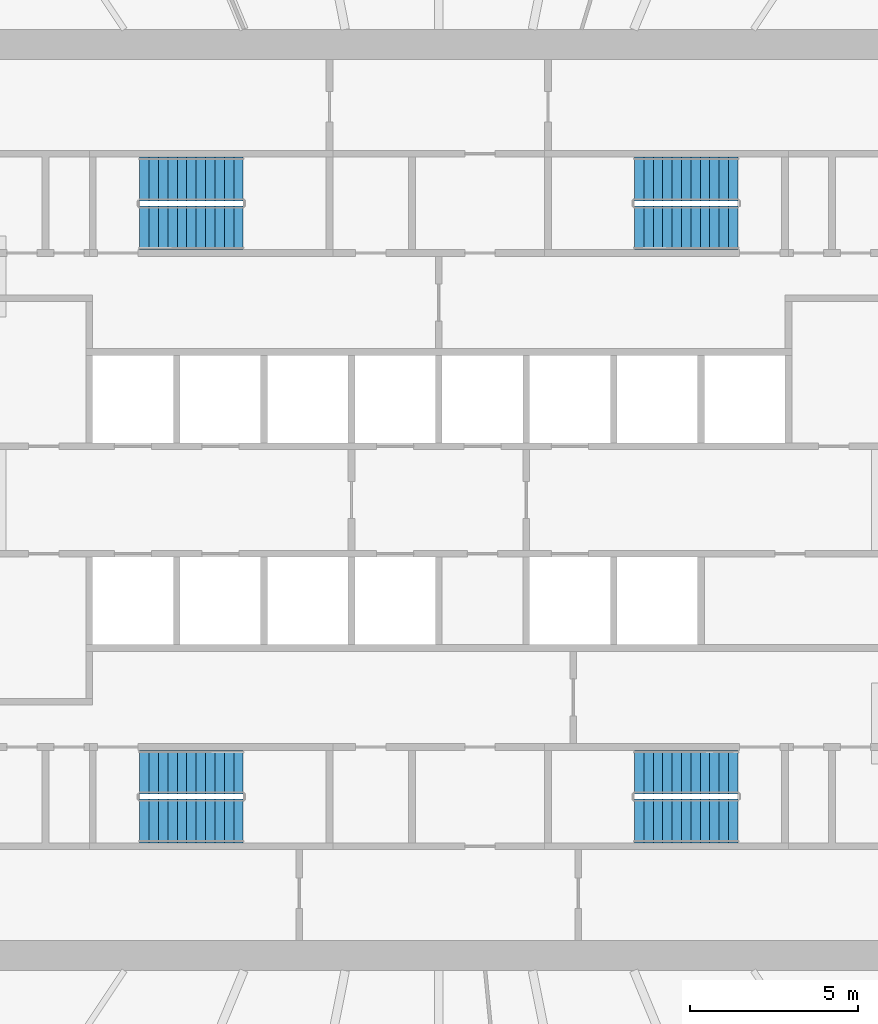
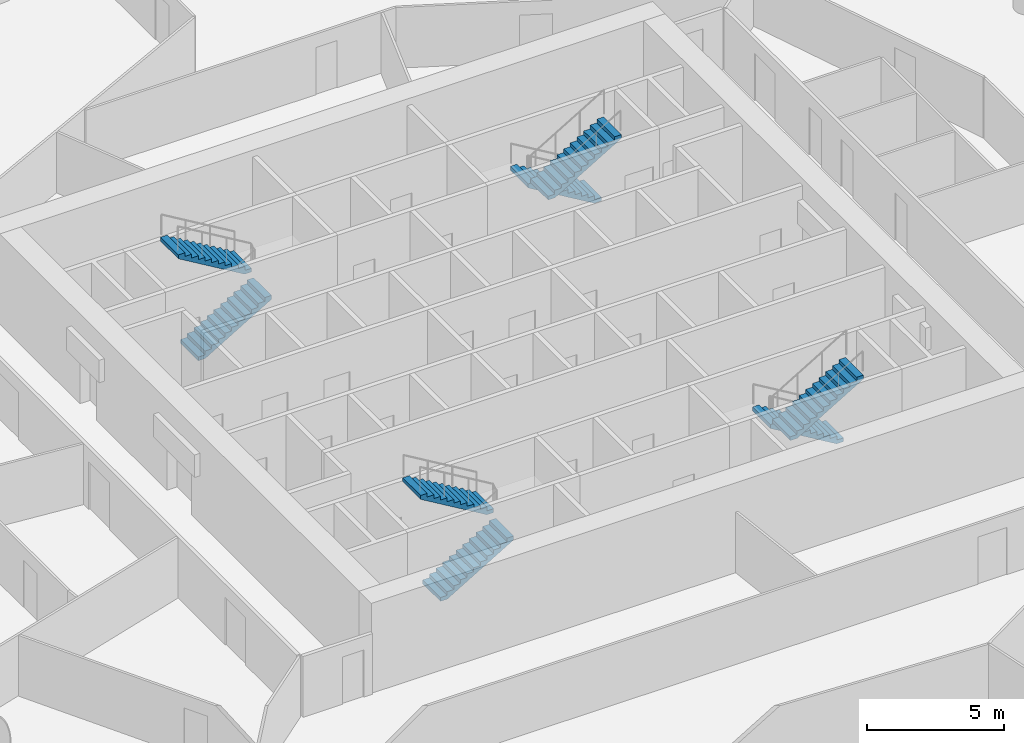
# One storey, part 8 of 9: 8 stair flights, 4 elements without a shape of their own.
"""IFC4 building model written with IfcOpenShell, lengths in metres."""

from ifc_helpers import new_model, si_unit, direction, frame, origin, place, context, subcontext, project, spatial, polyline, outline, extrude, material, type_object, element, aggregate, save


model = new_model("IFC4")

# Units and contexts
model_context = context("Model", 3, precision=1e-05, world=origin(), true_north=direction((0.0, 1.0)))
body_context = subcontext(model_context, "Body", "Model", "MODEL_VIEW")
ifc_project = project(units=[si_unit("LENGTHUNIT", "METRE"), si_unit("AREAUNIT", "SQUARE_METRE"), si_unit("VOLUMEUNIT", "CUBIC_METRE"), si_unit("PLANEANGLEUNIT", "RADIAN"), si_unit("MASSUNIT", "GRAM", prefix="KILO")], contexts=[model_context])

# Site, building, storey
site_placement = place(None, origin())
site = spatial("IfcSite", under=ifc_project, at=site_placement, CompositionType="ELEMENT")
building_placement = place(site_placement, origin())
building = spatial("IfcBuilding", under=site, at=building_placement, Name="Corvane Civic Tower", CompositionType="ELEMENT")
storey_placement = place(building_placement, frame((0.0, 0.0, 148.0)))
storey = spatial("IfcBuildingStorey", under=building, at=storey_placement, Name="L34", CompositionType="ELEMENT", Elevation=148.0)

# Stair, stair flights
ifc_material_1 = material(Name="Concrete C40/50", Category="concrete")
stair_type = type_object("IfcStairType", Name="ST-STAIR-HALFTURN", PredefinedType="HALF_TURN_STAIR", material=ifc_material_1)
stair_1_placement = place(storey_placement, origin())
stair_1 = element("IfcStair", 1, at=stair_1_placement, inside=storey, type_object=stair_type, Name="L34 Exit stair ST1", PredefinedType="HALF_TURN_STAIR")
ifc_material_2 = material(Name="Concrete C40/50", Category="concrete")
stair_flight_type = type_object("IfcStairFlightType", Name="ST-FLIGHT-RC", PredefinedType="STRAIGHT", material=ifc_material_2)
stair_flight_1_placement = place(storey_placement, frame((8.89990234375, 9.550048828125, 0.0), z_axis=(0.0, 0.0, 1.0), x_axis=(-1.0, 0.0, 0.0)))
stair_flight_1 = element("IfcStairFlight", 2, at=stair_flight_1_placement, type_object=stair_flight_type, Name="ST1 flight 1", NumberOfRisers=12, NumberOfTreads=11, PredefinedType="STRAIGHT", RiserHeight=0.166666667, TreadLength=0.28, context=body_context, shape_type="SweptSolid", body=[
    extrude(outline(polyline([(0.0, 0.0), (0.0, 0.166748046875), (0.280029296875, 0.166748046875), (0.280029296875, 0.333251953125), (0.56005859375, 0.333251953125), (0.56005859375, 0.5), (0.840087890625, 0.5), (0.840087890625, 0.666748046875), (1.1201171875, 0.666748046875), (1.1201171875, 0.833251953125), (1.39990234375, 0.833251953125), (1.39990234375, 1.0), (1.679931640625, 1.0), (1.679931640625, 1.166748046875), (1.9599609375, 1.166748046875), (1.9599609375, 1.333251953125), (2.239990234375, 1.333251953125), (2.239990234375, 1.5), (2.52001953125, 1.5), (2.52001953125, 1.666748046875), (2.800048828125, 1.666748046875), (2.800048828125, 1.833251953125), (3.080078125, 1.833251953125), (3.080078125, 2.0), (3.080078125, 1.658935546875), (0.29296875, 0.0), (0.0, 0.0)])), frame((0.0, 0.64990234375, 0.0), z_axis=(0.0, -1.0, 0.0), x_axis=(1.0, 0.0, 0.0)), (0.0, 0.0, 1.0), 1.300048828125),
])
stair_flight_2_placement = place(storey_placement, frame((5.820068359375, 8.10009765625, 2.0), z_axis=(0.0, 0.0, 1.0), x_axis=(1.0, 0.0, 0.0)))
stair_flight_2 = element("IfcStairFlight", 3, at=stair_flight_2_placement, type_object=stair_flight_type, Name="ST1 flight 2", NumberOfRisers=12, NumberOfTreads=11, PredefinedType="STRAIGHT", RiserHeight=0.166666667, TreadLength=0.28, context=body_context, shape_type="SweptSolid", body=[
    extrude(outline(polyline([(0.0, 0.0), (0.0, 0.166748046875), (0.280029296875, 0.166748046875), (0.280029296875, 0.333251953125), (0.56005859375, 0.333251953125), (0.56005859375, 0.5), (0.840087890625, 0.5), (0.840087890625, 0.666748046875), (1.1201171875, 0.666748046875), (1.1201171875, 0.833251953125), (1.39990234375, 0.833251953125), (1.39990234375, 1.0), (1.679931640625, 1.0), (1.679931640625, 1.166748046875), (1.9599609375, 1.166748046875), (1.9599609375, 1.333251953125), (2.239990234375, 1.333251953125), (2.239990234375, 1.5), (2.52001953125, 1.5), (2.52001953125, 1.666748046875), (2.800048828125, 1.666748046875), (2.800048828125, 1.833251953125), (3.080078125, 1.833251953125), (3.080078125, 2.0), (3.080078125, 1.658935546875), (0.29296875, 0.0), (0.0, 0.0)])), frame((0.0, 0.64990234375, 0.0), z_axis=(0.0, -1.0, 0.0), x_axis=(1.0, 0.0, 0.0)), (0.0, 0.0, 1.0), 1.300048828125),
])
aggregate(stair_1, [stair_flight_1, stair_flight_2])

stair_2_placement = place(storey_placement, origin())
stair_2 = element("IfcStair", 4, at=stair_2_placement, inside=storey, type_object=stair_type, Name="L34 Exit stair ST2", PredefinedType="HALF_TURN_STAIR")
stair_flight_3_placement = place(storey_placement, frame((8.89990234375, -8.10009765625, 0.0), z_axis=(0.0, 0.0, 1.0), x_axis=(-1.0, 0.0, 0.0)))
stair_flight_3 = element("IfcStairFlight", 5, at=stair_flight_3_placement, type_object=stair_flight_type, Name="ST2 flight 1", NumberOfRisers=12, NumberOfTreads=11, PredefinedType="STRAIGHT", RiserHeight=0.166666667, TreadLength=0.28, context=body_context, shape_type="SweptSolid", body=[
    extrude(outline(polyline([(0.0, 0.0), (0.0, 0.166748046875), (0.280029296875, 0.166748046875), (0.280029296875, 0.333251953125), (0.56005859375, 0.333251953125), (0.56005859375, 0.5), (0.840087890625, 0.5), (0.840087890625, 0.666748046875), (1.1201171875, 0.666748046875), (1.1201171875, 0.833251953125), (1.39990234375, 0.833251953125), (1.39990234375, 1.0), (1.679931640625, 1.0), (1.679931640625, 1.166748046875), (1.9599609375, 1.166748046875), (1.9599609375, 1.333251953125), (2.239990234375, 1.333251953125), (2.239990234375, 1.5), (2.52001953125, 1.5), (2.52001953125, 1.666748046875), (2.800048828125, 1.666748046875), (2.800048828125, 1.833251953125), (3.080078125, 1.833251953125), (3.080078125, 2.0), (3.080078125, 1.658935546875), (0.29296875, 0.0), (0.0, 0.0)])), frame((0.0, 0.64990234375, 0.0), z_axis=(0.0, -1.0, 0.0), x_axis=(1.0, 0.0, 0.0)), (0.0, 0.0, 1.0), 1.300048828125),
])
stair_flight_4_placement = place(storey_placement, frame((5.820068359375, -9.550048828125, 2.0), z_axis=(0.0, 0.0, 1.0), x_axis=(1.0, 0.0, 0.0)))
stair_flight_4 = element("IfcStairFlight", 6, at=stair_flight_4_placement, type_object=stair_flight_type, Name="ST2 flight 2", NumberOfRisers=12, NumberOfTreads=11, PredefinedType="STRAIGHT", RiserHeight=0.166666667, TreadLength=0.28, context=body_context, shape_type="SweptSolid", body=[
    extrude(outline(polyline([(0.0, 0.0), (0.0, 0.166748046875), (0.280029296875, 0.166748046875), (0.280029296875, 0.333251953125), (0.56005859375, 0.333251953125), (0.56005859375, 0.5), (0.840087890625, 0.5), (0.840087890625, 0.666748046875), (1.1201171875, 0.666748046875), (1.1201171875, 0.833251953125), (1.39990234375, 0.833251953125), (1.39990234375, 1.0), (1.679931640625, 1.0), (1.679931640625, 1.166748046875), (1.9599609375, 1.166748046875), (1.9599609375, 1.333251953125), (2.239990234375, 1.333251953125), (2.239990234375, 1.5), (2.52001953125, 1.5), (2.52001953125, 1.666748046875), (2.800048828125, 1.666748046875), (2.800048828125, 1.833251953125), (3.080078125, 1.833251953125), (3.080078125, 2.0), (3.080078125, 1.658935546875), (0.29296875, 0.0), (0.0, 0.0)])), frame((0.0, 0.64990234375, 0.0), z_axis=(0.0, -1.0, 0.0), x_axis=(1.0, 0.0, 0.0)), (0.0, 0.0, 1.0), 1.300048828125),
])
aggregate(stair_2, [stair_flight_3, stair_flight_4])

stair_3_placement = place(storey_placement, origin())
stair_3 = element("IfcStair", 7, at=stair_3_placement, inside=storey, type_object=stair_type, Name="L34 Exit stair ST3", PredefinedType="HALF_TURN_STAIR")
stair_flight_5_placement = place(storey_placement, frame((-8.89990234375, -9.550048828125, 0.0), z_axis=(0.0, 0.0, 1.0), x_axis=(1.0, 0.0, 0.0)))
stair_flight_5 = element("IfcStairFlight", 8, at=stair_flight_5_placement, type_object=stair_flight_type, Name="ST3 flight 1", NumberOfRisers=12, NumberOfTreads=11, PredefinedType="STRAIGHT", RiserHeight=0.166666667, TreadLength=0.28, context=body_context, shape_type="SweptSolid", body=[
    extrude(outline(polyline([(0.0, 0.0), (0.0, 0.166748046875), (0.280029296875, 0.166748046875), (0.280029296875, 0.333251953125), (0.56005859375, 0.333251953125), (0.56005859375, 0.5), (0.840087890625, 0.5), (0.840087890625, 0.666748046875), (1.1201171875, 0.666748046875), (1.1201171875, 0.833251953125), (1.39990234375, 0.833251953125), (1.39990234375, 1.0), (1.679931640625, 1.0), (1.679931640625, 1.166748046875), (1.9599609375, 1.166748046875), (1.9599609375, 1.333251953125), (2.239990234375, 1.333251953125), (2.239990234375, 1.5), (2.52001953125, 1.5), (2.52001953125, 1.666748046875), (2.800048828125, 1.666748046875), (2.800048828125, 1.833251953125), (3.080078125, 1.833251953125), (3.080078125, 2.0), (3.080078125, 1.658935546875), (0.29296875, 0.0), (0.0, 0.0)])), frame((0.0, 0.64990234375, 0.0), z_axis=(0.0, -1.0, 0.0), x_axis=(1.0, 0.0, 0.0)), (0.0, 0.0, 1.0), 1.300048828125),
])
stair_flight_6_placement = place(storey_placement, frame((-5.820068359375, -8.10009765625, 2.0), z_axis=(0.0, 0.0, 1.0), x_axis=(-1.0, 0.0, 0.0)))
stair_flight_6 = element("IfcStairFlight", 9, at=stair_flight_6_placement, type_object=stair_flight_type, Name="ST3 flight 2", NumberOfRisers=12, NumberOfTreads=11, PredefinedType="STRAIGHT", RiserHeight=0.166666667, TreadLength=0.28, context=body_context, shape_type="SweptSolid", body=[
    extrude(outline(polyline([(0.0, 0.0), (0.0, 0.166748046875), (0.280029296875, 0.166748046875), (0.280029296875, 0.333251953125), (0.56005859375, 0.333251953125), (0.56005859375, 0.5), (0.840087890625, 0.5), (0.840087890625, 0.666748046875), (1.1201171875, 0.666748046875), (1.1201171875, 0.833251953125), (1.39990234375, 0.833251953125), (1.39990234375, 1.0), (1.679931640625, 1.0), (1.679931640625, 1.166748046875), (1.9599609375, 1.166748046875), (1.9599609375, 1.333251953125), (2.239990234375, 1.333251953125), (2.239990234375, 1.5), (2.52001953125, 1.5), (2.52001953125, 1.666748046875), (2.800048828125, 1.666748046875), (2.800048828125, 1.833251953125), (3.080078125, 1.833251953125), (3.080078125, 2.0), (3.080078125, 1.658935546875), (0.29296875, 0.0), (0.0, 0.0)])), frame((0.0, 0.64990234375, 0.0), z_axis=(0.0, -1.0, 0.0), x_axis=(1.0, 0.0, 0.0)), (0.0, 0.0, 1.0), 1.300048828125),
])
aggregate(stair_3, [stair_flight_5, stair_flight_6])

stair_4_placement = place(storey_placement, origin())
stair_4 = element("IfcStair", 10, at=stair_4_placement, inside=storey, type_object=stair_type, Name="L34 Exit stair ST4", PredefinedType="HALF_TURN_STAIR")
stair_flight_7_placement = place(storey_placement, frame((-8.89990234375, 8.10009765625, 0.0), z_axis=(0.0, 0.0, 1.0), x_axis=(1.0, 0.0, 0.0)))
stair_flight_7 = element("IfcStairFlight", 11, at=stair_flight_7_placement, type_object=stair_flight_type, Name="ST4 flight 1", NumberOfRisers=12, NumberOfTreads=11, PredefinedType="STRAIGHT", RiserHeight=0.166666667, TreadLength=0.28, context=body_context, shape_type="SweptSolid", body=[
    extrude(outline(polyline([(0.0, 0.0), (0.0, 0.166748046875), (0.280029296875, 0.166748046875), (0.280029296875, 0.333251953125), (0.56005859375, 0.333251953125), (0.56005859375, 0.5), (0.840087890625, 0.5), (0.840087890625, 0.666748046875), (1.1201171875, 0.666748046875), (1.1201171875, 0.833251953125), (1.39990234375, 0.833251953125), (1.39990234375, 1.0), (1.679931640625, 1.0), (1.679931640625, 1.166748046875), (1.9599609375, 1.166748046875), (1.9599609375, 1.333251953125), (2.239990234375, 1.333251953125), (2.239990234375, 1.5), (2.52001953125, 1.5), (2.52001953125, 1.666748046875), (2.800048828125, 1.666748046875), (2.800048828125, 1.833251953125), (3.080078125, 1.833251953125), (3.080078125, 2.0), (3.080078125, 1.658935546875), (0.29296875, 0.0), (0.0, 0.0)])), frame((0.0, 0.64990234375, 0.0), z_axis=(0.0, -1.0, 0.0), x_axis=(1.0, 0.0, 0.0)), (0.0, 0.0, 1.0), 1.300048828125),
])
stair_flight_8_placement = place(storey_placement, frame((-5.820068359375, 9.550048828125, 2.0), z_axis=(0.0, 0.0, 1.0), x_axis=(-1.0, 0.0, 0.0)))
stair_flight_8 = element("IfcStairFlight", 12, at=stair_flight_8_placement, type_object=stair_flight_type, Name="ST4 flight 2", NumberOfRisers=12, NumberOfTreads=11, PredefinedType="STRAIGHT", RiserHeight=0.166666667, TreadLength=0.28, context=body_context, shape_type="SweptSolid", body=[
    extrude(outline(polyline([(0.0, 0.0), (0.0, 0.166748046875), (0.280029296875, 0.166748046875), (0.280029296875, 0.333251953125), (0.56005859375, 0.333251953125), (0.56005859375, 0.5), (0.840087890625, 0.5), (0.840087890625, 0.666748046875), (1.1201171875, 0.666748046875), (1.1201171875, 0.833251953125), (1.39990234375, 0.833251953125), (1.39990234375, 1.0), (1.679931640625, 1.0), (1.679931640625, 1.166748046875), (1.9599609375, 1.166748046875), (1.9599609375, 1.333251953125), (2.239990234375, 1.333251953125), (2.239990234375, 1.5), (2.52001953125, 1.5), (2.52001953125, 1.666748046875), (2.800048828125, 1.666748046875), (2.800048828125, 1.833251953125), (3.080078125, 1.833251953125), (3.080078125, 2.0), (3.080078125, 1.658935546875), (0.29296875, 0.0), (0.0, 0.0)])), frame((0.0, 0.64990234375, 0.0), z_axis=(0.0, -1.0, 0.0), x_axis=(1.0, 0.0, 0.0)), (0.0, 0.0, 1.0), 1.300048828125),
])
aggregate(stair_4, [stair_flight_7, stair_flight_8])

save(model, "model.ifc")
